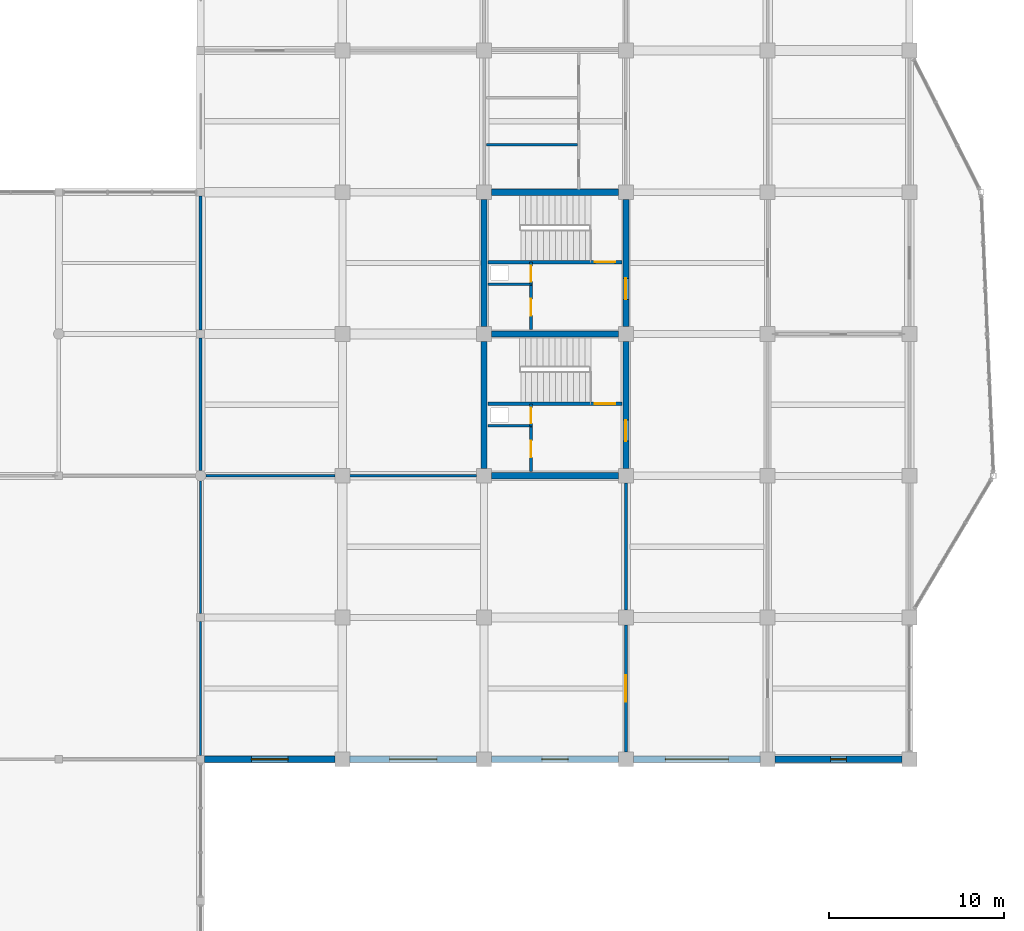
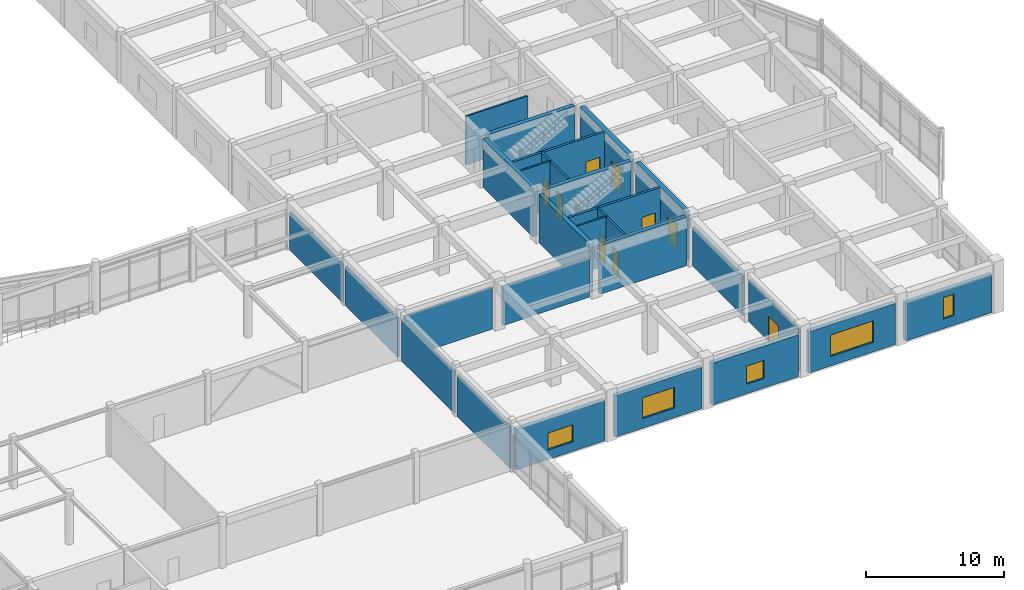
# One storey, part 69 of 93: 29 walls, 9 doors, 5 windows, 14 openings.
"""IFC4 building model written with IfcOpenShell, lengths in metres."""

from ifc_helpers import new_model, si_unit, direction, frame, frame_2d, origin, place, context, subcontext, project, spatial, rectangle, extrude, material, layer, layer_set, type_object, element, fill, save


model = new_model("IFC4")

# Units and contexts
model_context = context("Model", 3, precision=1e-05, world=origin(), true_north=direction((0.0, 1.0)))
body_context = subcontext(model_context, "Body", "Model", "MODEL_VIEW")
ifc_project = project(units=[si_unit("LENGTHUNIT", "METRE"), si_unit("AREAUNIT", "SQUARE_METRE"), si_unit("VOLUMEUNIT", "CUBIC_METRE"), si_unit("PLANEANGLEUNIT", "RADIAN"), si_unit("MASSUNIT", "GRAM", prefix="KILO")], contexts=[model_context])

# Site, building, storey
site_placement = place(None, origin())
site = spatial("IfcSite", under=ifc_project, at=site_placement, CompositionType="ELEMENT")
building_placement = place(site_placement, origin())
building = spatial("IfcBuilding", under=site, at=building_placement, Name="Vaudrelin Polytechnic", CompositionType="ELEMENT")
storey_placement = place(building_placement, frame((0.0, 0.0, 5.10009765625)))
storey = spatial("IfcBuildingStorey", under=building, at=storey_placement, Name="L01", CompositionType="ELEMENT", Elevation=5.10009765625)

# Wall, opening, window
ifc_material_1 = material(Name="Precast concrete 35 MPa with terracotta baguette screen", Category="masonry")
ifc_layer_1 = layer(ifc_material_1, 0.35009765625)
ifc_layer_set_1 = layer_set([ifc_layer_1], Name="Precast concrete 35 MPa with terracotta baguette screen")
wall_type_1 = type_object("IfcWallType", Name="WAL-EW-TERR350", PredefinedType="STANDARD", material=ifc_layer_set_1)
wall_1_placement = place(storey_placement, frame((129.822998046875, 16.199951171875, 0.0), z_axis=(0.0, 0.0, 1.0), x_axis=(1.0, 0.0, 0.0)))
wall_1 = element("IfcWall", 1, at=wall_1_placement, inside=storey, type_object=wall_type_1, Name="Exterior wall L01 S_V4_00", PredefinedType="STANDARD", context=body_context, shape_type="SweptSolid", body=[
    extrude(rectangle(XDim=7.4541015625, YDim=0.35009765625, at=frame_2d((3.72705078125, 0.0))), origin(), (0.0, 0.0, 1.0), 3.56201171875),
])
opening_1_placement = place(wall_1_placement, frame((2.677001953125, 0.0, 0.85009765625)))
opening_1 = element("IfcOpeningElement", 2, at=opening_1_placement, cuts=wall_1, Name="Opening W-L01-S-V4-01", PredefinedType="OPENING", context=body_context, shape_type="SweptSolid", body=[
    extrude(rectangle(XDim=2.10009765625, YDim=1.5, at=frame_2d((1.050048828125, 0.75))), frame((0.0, 0.18505859375, 0.0), z_axis=(0.0, -1.0, 0.0), x_axis=(1.0, 0.0, 0.0)), (0.0, 0.0, 1.0), 0.3701171875),
])
ifc_material_2 = material(Name="Thermally broken aluminium frame with triple low-e glazing", Category="aluminium")
window_type_1 = type_object("IfcWindowType", Name="WIN-WN-05", PartitioningType="SINGLE_PANEL", PredefinedType="WINDOW", material=ifc_material_2)
window_1_placement = place(opening_1_placement, origin())
window_1 = element("IfcWindow", 3, at=window_1_placement, inside=storey, type_object=window_type_1, Name="Facade window L01-S_V4_00", OverallHeight=1.5, OverallWidth=2.10009765625, PartitioningType="SINGLE_PANEL", PredefinedType="WINDOW", context=body_context, shape_type="SweptSolid", body=[
    extrude(rectangle(XDim=2.10009765625, YDim=1.5, at=frame_2d((1.050048828125, 0.75))), frame((0.0, 0.030029296875, 0.0), z_axis=(0.0, -1.0, 0.0), x_axis=(1.0, 0.0, 0.0)), (0.0, 0.0, 1.0), 0.06005859375),
])
fill(opening_1, window_1)

wall_2_placement = place(storey_placement, frame((138.123046875, 16.199951171875, 0.0), z_axis=(0.0, 0.0, 1.0), x_axis=(1.0, 0.0, 0.0)))
wall_2 = element("IfcWall", 4, at=wall_2_placement, inside=storey, type_object=wall_type_1, Name="Exterior wall L01 S_V4_01", PredefinedType="STANDARD", context=body_context, shape_type="SweptSolid", body=[
    extrude(rectangle(XDim=7.25390625, YDim=0.35009765625, at=frame_2d((3.626953125, 0.0))), origin(), (0.0, 0.0, 1.0), 3.661865234375),
])
opening_2_placement = place(wall_2_placement, frame((2.277099609375, 0.0, 0.85009765625)))
opening_2 = element("IfcOpeningElement", 5, at=opening_2_placement, cuts=wall_2, Name="Opening W-L01-S-V4-02", PredefinedType="OPENING", context=body_context, shape_type="SweptSolid", body=[
    extrude(rectangle(XDim=2.699951171875, YDim=1.85009765625, at=frame_2d((1.35009765625, 0.925048828125))), frame((0.0, 0.18505859375, 0.0), z_axis=(0.0, -1.0, 0.0), x_axis=(1.0, 0.0, 0.0)), (0.0, 0.0, 1.0), 0.3701171875),
])
window_type_2 = type_object("IfcWindowType", Name="WIN-WN-06", PartitioningType="SINGLE_PANEL", PredefinedType="WINDOW", material=ifc_material_2)
window_2_placement = place(opening_2_placement, origin())
window_2 = element("IfcWindow", 6, at=window_2_placement, inside=storey, type_object=window_type_2, Name="Facade window L01-S_V4_01", OverallHeight=1.85009765625, OverallWidth=2.699951171875, PartitioningType="SINGLE_PANEL", PredefinedType="WINDOW", context=body_context, shape_type="SweptSolid", body=[
    extrude(rectangle(XDim=2.699951171875, YDim=1.85009765625, at=frame_2d((1.35009765625, 0.925048828125))), frame((0.0, 0.030029296875, 0.0), z_axis=(0.0, -1.0, 0.0), x_axis=(1.0, 0.0, 0.0)), (0.0, 0.0, 1.0), 0.06005859375),
])
fill(opening_2, window_2)

wall_3_placement = place(storey_placement, frame((146.222900390625, 16.199951171875, 0.0), z_axis=(0.0, 0.0, 1.0), x_axis=(1.0, 0.0, 0.0)))
wall_3 = element("IfcWall", 7, at=wall_3_placement, inside=storey, type_object=wall_type_1, Name="Exterior wall L01 S_V4_02", PredefinedType="STANDARD", context=body_context, shape_type="SweptSolid", body=[
    extrude(rectangle(XDim=7.254150390625, YDim=0.35009765625, at=frame_2d((3.626953125, 0.0))), origin(), (0.0, 0.0, 1.0), 3.7119140625),
])
opening_3_placement = place(wall_3_placement, frame((2.876953125, 0.0, 0.85009765625)))
opening_3 = element("IfcOpeningElement", 8, at=opening_3_placement, cuts=wall_3, Name="Opening W-L01-S-V4-03", PredefinedType="OPENING", context=body_context, shape_type="SweptSolid", body=[
    extrude(rectangle(XDim=1.5, YDim=1.60009765625, at=frame_2d((0.75, 0.800048828125))), frame((0.0, 0.18505859375, 0.0), z_axis=(0.0, -1.0, 0.0), x_axis=(1.0, 0.0, 0.0)), (0.0, 0.0, 1.0), 0.3701171875),
])
window_type_3 = type_object("IfcWindowType", Name="WIN-WN-07", PartitioningType="SINGLE_PANEL", PredefinedType="WINDOW", material=ifc_material_2)
window_3_placement = place(opening_3_placement, origin())
window_3 = element("IfcWindow", 9, at=window_3_placement, inside=storey, type_object=window_type_3, Name="Facade window L01-S_V4_02", OverallHeight=1.60009765625, OverallWidth=1.5, PartitioningType="SINGLE_PANEL", PredefinedType="WINDOW", context=body_context, shape_type="SweptSolid", body=[
    extrude(rectangle(XDim=1.5, YDim=1.60009765625, at=frame_2d((0.75, 0.800048828125))), frame((0.0, 0.030029296875, 0.0), z_axis=(0.0, -1.0, 0.0), x_axis=(1.0, 0.0, 0.0)), (0.0, 0.0, 1.0), 0.06005859375),
])
fill(opening_3, window_3)

wall_4_placement = place(storey_placement, frame((154.322998046875, 16.199951171875, 0.0), z_axis=(0.0, 0.0, 1.0), x_axis=(1.0, 0.0, 0.0)))
wall_4 = element("IfcWall", 10, at=wall_4_placement, inside=storey, type_object=wall_type_1, Name="Exterior wall L01 S_V4_03", PredefinedType="STANDARD", context=body_context, shape_type="SweptSolid", body=[
    extrude(rectangle(XDim=7.25390625, YDim=0.35009765625, at=frame_2d((3.626953125, 0.0))), origin(), (0.0, 0.0, 1.0), 3.661865234375),
])
opening_4_placement = place(wall_4_placement, frame((1.826904296875, 0.0, 0.85009765625)))
opening_4 = element("IfcOpeningElement", 11, at=opening_4_placement, cuts=wall_4, Name="Opening W-L01-S-V4-04", PredefinedType="OPENING", context=body_context, shape_type="SweptSolid", body=[
    extrude(rectangle(XDim=3.60009765625, YDim=1.89990234375, at=frame_2d((1.800048828125, 0.949951171875))), frame((0.0, 0.18505859375, 0.0), z_axis=(0.0, -1.0, 0.0), x_axis=(1.0, 0.0, 0.0)), (0.0, 0.0, 1.0), 0.3701171875),
])
window_type_4 = type_object("IfcWindowType", Name="WIN-WN-08", PartitioningType="SINGLE_PANEL", PredefinedType="WINDOW", material=ifc_material_2)
window_4_placement = place(opening_4_placement, origin())
window_4 = element("IfcWindow", 12, at=window_4_placement, inside=storey, type_object=window_type_4, Name="Facade window L01-S_V4_03", OverallHeight=1.89990234375, OverallWidth=3.60009765625, PartitioningType="SINGLE_PANEL", PredefinedType="WINDOW", context=body_context, shape_type="SweptSolid", body=[
    extrude(rectangle(XDim=3.60009765625, YDim=1.89990234375, at=frame_2d((1.800048828125, 0.949951171875))), frame((0.0, 0.030029296875, 0.0), z_axis=(0.0, -1.0, 0.0), x_axis=(1.0, 0.0, 0.0)), (0.0, 0.0, 1.0), 0.06005859375),
])
fill(opening_4, window_4)

wall_5_placement = place(storey_placement, frame((162.423095703125, 16.199951171875, 0.0), z_axis=(0.0, 0.0, 1.0), x_axis=(1.0, 0.0, 0.0)))
wall_5 = element("IfcWall", 13, at=wall_5_placement, inside=storey, type_object=wall_type_1, Name="Exterior wall L01 S_V4_04", PredefinedType="STANDARD", context=body_context, shape_type="SweptSolid", body=[
    extrude(rectangle(XDim=7.25390625, YDim=0.35009765625, at=frame_2d((3.626953125, 0.0))), origin(), (0.0, 0.0, 1.0), 3.36181640625),
])
opening_5_placement = place(wall_5_placement, frame((3.177001953125, 0.0, 0.85009765625)))
opening_5 = element("IfcOpeningElement", 14, at=opening_5_placement, cuts=wall_5, Name="Opening W-L01-S-V4-05", PredefinedType="OPENING", context=body_context, shape_type="SweptSolid", body=[
    extrude(rectangle(XDim=0.89990234375, YDim=1.89990234375, at=frame_2d((0.449951171875, 0.949951171875))), frame((0.0, 0.18505859375, 0.0), z_axis=(0.0, -1.0, 0.0), x_axis=(1.0, 0.0, 0.0)), (0.0, 0.0, 1.0), 0.3701171875),
])
window_type_5 = type_object("IfcWindowType", Name="WIN-WN-09", PartitioningType="SINGLE_PANEL", PredefinedType="WINDOW", material=ifc_material_2)
window_5_placement = place(opening_5_placement, origin())
window_5 = element("IfcWindow", 15, at=window_5_placement, inside=storey, type_object=window_type_5, Name="Facade window L01-S_V4_04", OverallHeight=1.89990234375, OverallWidth=0.89990234375, PartitioningType="SINGLE_PANEL", PredefinedType="WINDOW", context=body_context, shape_type="SweptSolid", body=[
    extrude(rectangle(XDim=0.89990234375, YDim=1.89990234375, at=frame_2d((0.449951171875, 0.949951171875))), frame((0.0, 0.030029296875, 0.0), z_axis=(0.0, -1.0, 0.0), x_axis=(1.0, 0.0, 0.0)), (0.0, 0.0, 1.0), 0.06005859375),
])
fill(opening_5, window_5)

# Wall, opening, door
ifc_material_3 = material(Name="Fire-rated steel-stud gypsum compartment wall", Category="steel")
ifc_layer_2 = layer(ifc_material_3, 0.14990234375)
ifc_layer_set_2 = layer_set([ifc_layer_2], Name="Fire-rated steel-stud gypsum compartment wall")
wall_type_2 = type_object("IfcWallType", Name="WAL-PW-FIRE60", PredefinedType="PARTITIONING", material=ifc_layer_set_2)
wall_6_placement = place(storey_placement, frame((148.47998046875, 35.25, 0.0), z_axis=(0.0, 0.0, 1.0), x_axis=(0.0, 1.0, 0.0)))
wall_6 = element("IfcWall", 16, at=wall_6_placement, inside=storey, type_object=wall_type_2, Name="Core C8 riser enclosure wall L01", PredefinedType="PARTITIONING", context=body_context, shape_type="SweptSolid", body=[
    extrude(rectangle(XDim=1.260009765625, YDim=0.14990234375, at=frame_2d((0.6298828125, 0.0))), origin(), (0.0, 0.0, 1.0), 4.31201171875),
])
opening_6_placement = place(wall_6_placement, frame((0.139892578125, 0.0, 0.0)))
opening_6 = element("IfcOpeningElement", 17, at=opening_6_placement, cuts=wall_6, Name="Opening D-L01-148", PredefinedType="OPENING", context=body_context, shape_type="SweptSolid", body=[
    extrude(rectangle(XDim=0.89990234375, YDim=2.14990234375, at=frame_2d((0.449951171875, 1.074951171875))), frame((0.0, 0.0849609375, 0.0), z_axis=(0.0, -1.0, 0.0), x_axis=(1.0, 0.0, 0.0)), (0.0, 0.0, 1.0), 0.169921875),
])
ifc_material_4 = material(Name="Pressed galvanised steel acoustic leaf", Category="steel")
door_type_1 = type_object("IfcDoorType", Name="DOR-ID-RSR1", OperationType="NOTDEFINED", PredefinedType="DOOR", material=ifc_material_4)
door_1_placement = place(opening_6_placement, origin())
door_1 = element("IfcDoor", 18, at=door_1_placement, inside=storey, type_object=door_type_1, Name="Core C8 riser access door L01", OperationType="SINGLE_SWING_RIGHT", OverallHeight=2.14990234375, OverallWidth=0.89990234375, PredefinedType="DOOR", context=body_context, shape_type="SweptSolid", body=[
    extrude(rectangle(XDim=0.89990234375, YDim=2.14990234375, at=frame_2d((0.449951171875, 1.074951171875))), frame((0.0, 0.02490234375, 0.0), z_axis=(0.0, -1.0, 0.0), x_axis=(1.0, 0.0, 0.0)), (0.0, 0.0, 1.0), 0.050048828125),
])
fill(opening_6, door_1)

# Wall
wall_7_placement = place(storey_placement, frame((146.02001953125, 35.25, 0.0), z_axis=(0.0, 0.0, 1.0), x_axis=(1.0, 0.0, 0.0)))
element("IfcWall", 19, at=wall_7_placement, inside=storey, type_object=wall_type_2, Name="Core C8 riser south fire wall L01", PredefinedType="PARTITIONING", context=body_context, shape_type="SweptSolid", body=[
    extrude(rectangle(XDim=2.530029296875, YDim=0.14990234375, at=frame_2d((1.26513671875, 0.0))), origin(), (0.0, 0.0, 1.0), 4.31201171875),
])

# Wall, opening, door
wall_8_placement = place(storey_placement, frame((148.47998046875, 32.64990234375, 0.0), z_axis=(0.0, 0.0, 1.0), x_axis=(0.0, 1.0, 0.0)))
wall_8 = element("IfcWall", 20, at=wall_8_placement, inside=storey, type_object=wall_type_2, Name="Core C8 custodial enclosure wall L01", PredefinedType="PARTITIONING", context=body_context, shape_type="SweptSolid", body=[
    extrude(rectangle(XDim=2.60009765625, YDim=0.14990234375, at=frame_2d((1.300048828125, 0.0))), origin(), (0.0, 0.0, 1.0), 4.31201171875),
])
opening_7_placement = place(wall_8_placement, frame((0.800048828125, 0.0, 0.0)))
opening_7 = element("IfcOpeningElement", 21, at=opening_7_placement, cuts=wall_8, Name="Opening D-L01-149", PredefinedType="OPENING", context=body_context, shape_type="SweptSolid", body=[
    extrude(rectangle(XDim=0.949951171875, YDim=2.14990234375, at=frame_2d((0.47509765625, 1.074951171875))), frame((0.0, 0.0849609375, 0.0), z_axis=(0.0, -1.0, 0.0), x_axis=(1.0, 0.0, 0.0)), (0.0, 0.0, 1.0), 0.169921875),
])
door_type_2 = type_object("IfcDoorType", Name="DOR-ID-STR1", OperationType="NOTDEFINED", PredefinedType="DOOR", material=ifc_material_4)
door_2_placement = place(opening_7_placement, origin())
door_2 = element("IfcDoor", 22, at=door_2_placement, inside=storey, type_object=door_type_2, Name="Core C8 custodial door L01", OperationType="SINGLE_SWING_RIGHT", OverallHeight=2.14990234375, OverallWidth=0.949951171875, PredefinedType="DOOR", context=body_context, shape_type="SweptSolid", body=[
    extrude(rectangle(XDim=0.949951171875, YDim=2.14990234375, at=frame_2d((0.47509765625, 1.074951171875))), frame((0.0, 0.02490234375, 0.0), z_axis=(0.0, -1.0, 0.0), x_axis=(1.0, 0.0, 0.0)), (0.0, 0.0, 1.0), 0.050048828125),
])
fill(opening_7, door_2)

wall_9_placement = place(storey_placement, frame((148.47998046875, 43.35009765625, 0.0), z_axis=(0.0, 0.0, 1.0), x_axis=(0.0, 1.0, 0.0)))
wall_9 = element("IfcWall", 23, at=wall_9_placement, inside=storey, type_object=wall_type_2, Name="Core C12 riser enclosure wall L01", PredefinedType="PARTITIONING", context=body_context, shape_type="SweptSolid", body=[
    extrude(rectangle(XDim=1.260009765625, YDim=0.14990234375, at=frame_2d((0.6298828125, 0.0))), origin(), (0.0, 0.0, 1.0), 4.31201171875),
])
opening_8_placement = place(wall_9_placement, frame((0.139892578125, 0.0, 0.0)))
opening_8 = element("IfcOpeningElement", 24, at=opening_8_placement, cuts=wall_9, Name="Opening D-L01-271", PredefinedType="OPENING", context=body_context, shape_type="SweptSolid", body=[
    extrude(rectangle(XDim=0.89990234375, YDim=2.14990234375, at=frame_2d((0.449951171875, 1.074951171875))), frame((0.0, 0.0849609375, 0.0), z_axis=(0.0, -1.0, 0.0), x_axis=(1.0, 0.0, 0.0)), (0.0, 0.0, 1.0), 0.169921875),
])
door_3_placement = place(opening_8_placement, origin())
door_3 = element("IfcDoor", 25, at=door_3_placement, inside=storey, type_object=door_type_1, Name="Core C12 riser access door L01", OperationType="SINGLE_SWING_RIGHT", OverallHeight=2.14990234375, OverallWidth=0.89990234375, PredefinedType="DOOR", context=body_context, shape_type="SweptSolid", body=[
    extrude(rectangle(XDim=0.89990234375, YDim=2.14990234375, at=frame_2d((0.449951171875, 1.074951171875))), frame((0.0, 0.02490234375, 0.0), z_axis=(0.0, -1.0, 0.0), x_axis=(1.0, 0.0, 0.0)), (0.0, 0.0, 1.0), 0.050048828125),
])
fill(opening_8, door_3)

# Wall
wall_10_placement = place(storey_placement, frame((146.02001953125, 43.35009765625, 0.0), z_axis=(0.0, 0.0, 1.0), x_axis=(1.0, 0.0, 0.0)))
element("IfcWall", 26, at=wall_10_placement, inside=storey, type_object=wall_type_2, Name="Core C12 riser south fire wall L01", PredefinedType="PARTITIONING", context=body_context, shape_type="SweptSolid", body=[
    extrude(rectangle(XDim=2.530029296875, YDim=0.14990234375, at=frame_2d((1.26513671875, 0.0))), origin(), (0.0, 0.0, 1.0), 4.31201171875),
])

# Wall, opening, door
wall_11_placement = place(storey_placement, frame((148.47998046875, 40.75, 0.0), z_axis=(0.0, 0.0, 1.0), x_axis=(0.0, 1.0, 0.0)))
wall_11 = element("IfcWall", 27, at=wall_11_placement, inside=storey, type_object=wall_type_2, Name="Core C12 custodial enclosure wall L01", PredefinedType="PARTITIONING", context=body_context, shape_type="SweptSolid", body=[
    extrude(rectangle(XDim=2.60009765625, YDim=0.14990234375, at=frame_2d((1.300048828125, 0.0))), origin(), (0.0, 0.0, 1.0), 4.31201171875),
])
opening_9_placement = place(wall_11_placement, frame((0.800048828125, 0.0, 0.0)))
opening_9 = element("IfcOpeningElement", 28, at=opening_9_placement, cuts=wall_11, Name="Opening D-L01-272", PredefinedType="OPENING", context=body_context, shape_type="SweptSolid", body=[
    extrude(rectangle(XDim=0.949951171875, YDim=2.14990234375, at=frame_2d((0.47509765625, 1.074951171875))), frame((0.0, 0.0849609375, 0.0), z_axis=(0.0, -1.0, 0.0), x_axis=(1.0, 0.0, 0.0)), (0.0, 0.0, 1.0), 0.169921875),
])
door_4_placement = place(opening_9_placement, origin())
door_4 = element("IfcDoor", 29, at=door_4_placement, inside=storey, type_object=door_type_2, Name="Core C12 custodial door L01", OperationType="SINGLE_SWING_RIGHT", OverallHeight=2.14990234375, OverallWidth=0.949951171875, PredefinedType="DOOR", context=body_context, shape_type="SweptSolid", body=[
    extrude(rectangle(XDim=0.949951171875, YDim=2.14990234375, at=frame_2d((0.47509765625, 1.074951171875))), frame((0.0, 0.02490234375, 0.0), z_axis=(0.0, -1.0, 0.0), x_axis=(1.0, 0.0, 0.0)), (0.0, 0.0, 1.0), 0.050048828125),
])
fill(opening_9, door_4)

ifc_material_5 = material(Name="Moisture- and chemical-resistant laboratory partition", Category="gypsum")
ifc_layer_3 = layer(ifc_material_5, 0.159912109375)
ifc_layer_set_3 = layer_set([ifc_layer_3], Name="Moisture- and chemical-resistant laboratory partition")
wall_type_3 = type_object("IfcWallType", Name="WAL-PW-LAB160", PredefinedType="PARTITIONING", material=ifc_layer_set_3)
wall_12_placement = place(storey_placement, frame((153.89990234375, 16.623046875, 0.0), z_axis=(0.0, 0.0, 1.0), x_axis=(0.0, 1.0, 0.0)))
wall_12 = element("IfcWall", 30, at=wall_12_placement, inside=storey, type_object=wall_type_3, Name="Partition L01-021 E", PredefinedType="PARTITIONING", context=body_context, shape_type="SweptSolid", body=[
    extrude(rectangle(XDim=7.25390625, YDim=0.159912109375, at=frame_2d((3.626953125, 0.0))), origin(), (0.0, 0.0, 1.0), 3.7119140625),
])
opening_10_placement = place(wall_12_placement, frame((2.876953125, 0.0, 0.0)))
opening_10 = element("IfcOpeningElement", 31, at=opening_10_placement, cuts=wall_12, Name="Opening D-L01-457", PredefinedType="OPENING", context=body_context, shape_type="SweptSolid", body=[
    extrude(rectangle(XDim=1.5, YDim=2.199951171875, at=frame_2d((0.75, 1.10009765625))), frame((0.0, 0.08984375, 0.0), z_axis=(0.0, -1.0, 0.0), x_axis=(1.0, 0.0, 0.0)), (0.0, 0.0, 1.0), 0.179931640625),
])
door_type_3 = type_object("IfcDoorType", Name="DOR-ID-LAB1", OperationType="NOTDEFINED", PredefinedType="DOOR", material=ifc_material_4)
door_5_placement = place(opening_10_placement, origin())
door_5 = element("IfcDoor", 32, at=door_5_placement, inside=storey, type_object=door_type_3, Name="Thermodynamics Teaching Laboratory door L01-021", OperationType="DOUBLE_SWING_LEFT", OverallHeight=2.199951171875, OverallWidth=1.5, PredefinedType="DOOR", context=body_context, shape_type="SweptSolid", body=[
    extrude(rectangle(XDim=1.5, YDim=2.199951171875, at=frame_2d((0.75, 1.10009765625))), frame((0.0, 0.02490234375, 0.0), z_axis=(0.0, -1.0, 0.0), x_axis=(1.0, 0.0, 0.0)), (0.0, 0.0, 1.0), 0.050048828125),
])
fill(opening_10, door_5)

# Walls
wall_13_placement = place(storey_placement, frame((153.89990234375, 24.722900390625, 0.0), z_axis=(0.0, 0.0, 1.0), x_axis=(0.0, 1.0, 0.0)))
element("IfcWall", 33, at=wall_13_placement, inside=storey, type_object=wall_type_3, Name="Partition L01-021 E", PredefinedType="PARTITIONING", context=body_context, shape_type="SweptSolid", body=[
    extrude(rectangle(XDim=7.254150390625, YDim=0.159912109375, at=frame_2d((3.626953125, 0.0))), origin(), (0.0, 0.0, 1.0), 3.4619140625),
])
wall_14_placement = place(storey_placement, frame((129.89794921875, 32.39990234375, 0.0), z_axis=(0.0, 0.0, 1.0), x_axis=(1.0, 0.0, 0.0)))
element("IfcWall", 34, at=wall_14_placement, inside=storey, type_object=wall_type_3, Name="Partition L01-021 N", PredefinedType="PARTITIONING", context=body_context, shape_type="SweptSolid", body=[
    extrude(rectangle(XDim=7.379150390625, YDim=0.159912109375, at=frame_2d((3.689453125, 0.0))), origin(), (0.0, 0.0, 1.0), 3.7119140625),
])
wall_15_placement = place(storey_placement, frame((138.123046875, 32.39990234375, 0.0), z_axis=(0.0, 0.0, 1.0), x_axis=(1.0, 0.0, 0.0)))
element("IfcWall", 35, at=wall_15_placement, inside=storey, type_object=wall_type_3, Name="Partition L01-021 N", PredefinedType="PARTITIONING", context=body_context, shape_type="SweptSolid", body=[
    extrude(rectangle(XDim=7.25390625, YDim=0.159912109375, at=frame_2d((3.626953125, 0.0))), origin(), (0.0, 0.0, 1.0), 3.4619140625),
])
wall_16_placement = place(storey_placement, frame((129.60009765625, 32.697998046875, 0.0), z_axis=(0.0, 0.0, 1.0), x_axis=(0.0, 1.0, 0.0)))
element("IfcWall", 36, at=wall_16_placement, inside=storey, type_object=wall_type_3, Name="Partition L01-022 W", PredefinedType="PARTITIONING", context=body_context, shape_type="SweptSolid", body=[
    extrude(rectangle(XDim=7.5791015625, YDim=0.159912109375, at=frame_2d((3.78955078125, 0.0))), origin(), (0.0, 0.0, 1.0), 3.4619140625),
])
wall_17_placement = place(storey_placement, frame((129.60009765625, 40.722900390625, 0.0), z_axis=(0.0, 0.0, 1.0), x_axis=(0.0, 1.0, 0.0)))
element("IfcWall", 37, at=wall_17_placement, inside=storey, type_object=wall_type_3, Name="Partition L01-022 W", PredefinedType="PARTITIONING", context=body_context, shape_type="SweptSolid", body=[
    extrude(rectangle(XDim=7.654052734375, YDim=0.159912109375, at=frame_2d((3.8271484375, 0.0))), origin(), (0.0, 0.0, 1.0), 3.36181640625),
])
ifc_material_6 = material(Name="Acoustic steel-stud office & study room partition", Category="steel")
ifc_layer_4 = layer(ifc_material_6, 0.135009765625)
ifc_layer_set_4 = layer_set([ifc_layer_4], Name="Acoustic steel-stud office & study room partition")
wall_type_4 = type_object("IfcWallType", Name="WAL-PW-OFF135", PredefinedType="PARTITIONING", material=ifc_layer_set_4)
wall_18_placement = place(storey_placement, frame((129.60009765625, 16.423095703125, 0.0), z_axis=(0.0, 0.0, 1.0), x_axis=(0.0, 1.0, 0.0)))
element("IfcWall", 38, at=wall_18_placement, inside=storey, type_object=wall_type_4, Name="Partition L01-012 E", PredefinedType="PARTITIONING", context=body_context, shape_type="SweptSolid", body=[
    extrude(rectangle(XDim=7.65380859375, YDim=0.135009765625, at=frame_2d((3.826904296875, 0.0))), origin(), (0.0, 0.0, 1.0), 3.661865234375),
])
wall_19_placement = place(storey_placement, frame((129.60009765625, 24.52294921875, 0.0), z_axis=(0.0, 0.0, 1.0), x_axis=(0.0, 1.0, 0.0)))
element("IfcWall", 39, at=wall_19_placement, inside=storey, type_object=wall_type_4, Name="Partition L01-012 E", PredefinedType="PARTITIONING", context=body_context, shape_type="SweptSolid", body=[
    extrude(rectangle(XDim=7.5791015625, YDim=0.135009765625, at=frame_2d((3.78955078125, 0.0))), origin(), (0.0, 0.0, 1.0), 3.7119140625),
])
ifc_material_7 = material(Name="Cement-board tiled wet-wall washroom partition", Category="gypsum")
ifc_layer_5 = layer(ifc_material_7, 0.139892578125)
ifc_layer_set_5 = layer_set([ifc_layer_5], Name="Cement-board tiled wet-wall washroom partition")
wall_type_5 = type_object("IfcWallType", Name="WAL-PW-WC140", PredefinedType="PARTITIONING", material=ifc_layer_set_5)
wall_20_placement = place(storey_placement, frame((145.949951171875, 51.300048828125, 0.0), z_axis=(0.0, 0.0, 1.0), x_axis=(1.0, 0.0, 0.0)))
element("IfcWall", 40, at=wall_20_placement, inside=storey, type_object=wall_type_5, Name="Washroom separation wall L01-18-6-1", PredefinedType="PARTITIONING", context=body_context, shape_type="SweptSolid", body=[
    extrude(rectangle(XDim=5.179931640625, YDim=0.139892578125, at=frame_2d((2.58984375, 0.0))), origin(), (0.0, 0.0, 1.0), 4.31201171875),
])

# Wall, opening, door
ifc_material_8 = material(Name="Concrete 40 MPa", Category="concrete")
ifc_layer_6 = layer(ifc_material_8, 0.199951171875)
ifc_layer_set_6 = layer_set([ifc_layer_6], Name="Concrete 40 MPa")
wall_type_6 = type_object("IfcWallType", Name="WAL-SW-CORE200", PredefinedType="SHEAR", material=ifc_layer_set_6)
wall_21_placement = place(storey_placement, frame((146.02001953125, 36.510009765625, 0.0), z_axis=(0.0, 0.0, 1.0), x_axis=(1.0, 0.0, 0.0)))
wall_21 = element("IfcWall", 41, at=wall_21_placement, inside=storey, type_object=wall_type_6, Name="Core C8 stair enclosure wall L01", PredefinedType="SHEAR", context=body_context, shape_type="SweptSolid", body=[
    extrude(rectangle(XDim=7.659912109375, YDim=0.199951171875, at=frame_2d((3.830078125, 0.0))), origin(), (0.0, 0.0, 1.0), 4.31201171875),
])
opening_11_placement = place(wall_21_placement, frame((6.110107421875, 0.0, 0.0)))
opening_11 = element("IfcOpeningElement", 42, at=opening_11_placement, cuts=wall_21, Name="Opening D-L01-147", PredefinedType="OPENING", context=body_context, shape_type="SweptSolid", body=[
    extrude(rectangle(XDim=1.14990234375, YDim=2.199951171875, at=frame_2d((0.574951171875, 1.10009765625))), frame((0.0, 0.10986328125, 0.0), z_axis=(0.0, -1.0, 0.0), x_axis=(1.0, 0.0, 0.0)), (0.0, 0.0, 1.0), 0.219970703125),
])
door_type_4 = type_object("IfcDoorType", Name="DOR-ID-ST1", OperationType="NOTDEFINED", PredefinedType="DOOR", material=ifc_material_4)
door_6_placement = place(opening_11_placement, origin())
door_6 = element("IfcDoor", 43, at=door_6_placement, inside=storey, type_object=door_type_4, Name="Core C8 exit stair door L01", OperationType="SINGLE_SWING_LEFT", OverallHeight=2.199951171875, OverallWidth=1.14990234375, PredefinedType="DOOR", context=body_context, shape_type="SweptSolid", body=[
    extrude(rectangle(XDim=1.14990234375, YDim=2.199951171875, at=frame_2d((0.574951171875, 1.10009765625))), frame((0.0, 0.02490234375, 0.0), z_axis=(0.0, -1.0, 0.0), x_axis=(1.0, 0.0, 0.0)), (0.0, 0.0, 1.0), 0.050048828125),
])
fill(opening_11, door_6)

wall_22_placement = place(storey_placement, frame((146.02001953125, 44.610107421875, 0.0), z_axis=(0.0, 0.0, 1.0), x_axis=(1.0, 0.0, 0.0)))
wall_22 = element("IfcWall", 44, at=wall_22_placement, inside=storey, type_object=wall_type_6, Name="Core C12 stair enclosure wall L01", PredefinedType="SHEAR", context=body_context, shape_type="SweptSolid", body=[
    extrude(rectangle(XDim=7.659912109375, YDim=0.199951171875, at=frame_2d((3.830078125, 0.0))), origin(), (0.0, 0.0, 1.0), 4.31201171875),
])
opening_12_placement = place(wall_22_placement, frame((6.110107421875, 0.0, 0.0)))
opening_12 = element("IfcOpeningElement", 45, at=opening_12_placement, cuts=wall_22, Name="Opening D-L01-270", PredefinedType="OPENING", context=body_context, shape_type="SweptSolid", body=[
    extrude(rectangle(XDim=1.14990234375, YDim=2.199951171875, at=frame_2d((0.574951171875, 1.10009765625))), frame((0.0, 0.10986328125, 0.0), z_axis=(0.0, -1.0, 0.0), x_axis=(1.0, 0.0, 0.0)), (0.0, 0.0, 1.0), 0.219970703125),
])
door_7_placement = place(opening_12_placement, origin())
door_7 = element("IfcDoor", 46, at=door_7_placement, inside=storey, type_object=door_type_4, Name="Core C12 exit stair door L01", OperationType="SINGLE_SWING_LEFT", OverallHeight=2.199951171875, OverallWidth=1.14990234375, PredefinedType="DOOR", context=body_context, shape_type="SweptSolid", body=[
    extrude(rectangle(XDim=1.14990234375, YDim=2.199951171875, at=frame_2d((0.574951171875, 1.10009765625))), frame((0.0, 0.02490234375, 0.0), z_axis=(0.0, -1.0, 0.0), x_axis=(1.0, 0.0, 0.0)), (0.0, 0.0, 1.0), 0.050048828125),
])
fill(opening_12, door_7)

# Walls
ifc_material_9 = material(Name="Concrete 50 MPa", Category="concrete")
ifc_layer_7 = layer(ifc_material_9, 0.35009765625)
ifc_layer_set_7 = layer_set([ifc_layer_7], Name="Concrete 50 MPa")
wall_type_7 = type_object("IfcWallType", Name="WAL-SW-CORE350", PredefinedType="SHEAR", material=ifc_layer_set_7)
wall_23_placement = place(storey_placement, frame((146.222900390625, 40.5, 0.0), z_axis=(0.0, 0.0, 1.0), x_axis=(1.0, 0.0, 0.0)))
element("IfcWall", 47, at=wall_23_placement, inside=storey, type_object=wall_type_7, Name="Core C8 N shear wall L01", PredefinedType="SHEAR", context=body_context, shape_type="SweptSolid", body=[
    extrude(rectangle(XDim=7.254150390625, YDim=0.35009765625, at=frame_2d((3.626953125, 0.0))), origin(), (0.0, 0.0, 1.0), 4.31201171875),
])
wall_24_placement = place(storey_placement, frame((145.800048828125, 32.822998046875, 0.0), z_axis=(0.0, 0.0, 1.0), x_axis=(0.0, 1.0, 0.0)))
element("IfcWall", 48, at=wall_24_placement, inside=storey, type_object=wall_type_7, Name="Core C8 W shear wall L01", PredefinedType="SHEAR", context=body_context, shape_type="SweptSolid", body=[
    extrude(rectangle(XDim=7.25390625, YDim=0.35009765625, at=frame_2d((3.626953125, 0.0))), origin(), (0.0, 0.0, 1.0), 4.31201171875),
])

# Wall, opening, door
wall_25_placement = place(storey_placement, frame((153.89990234375, 32.822998046875, 0.0), z_axis=(0.0, 0.0, 1.0), x_axis=(0.0, 1.0, 0.0)))
wall_25 = element("IfcWall", 49, at=wall_25_placement, inside=storey, type_object=wall_type_7, Name="Core C8 E shear wall L01", PredefinedType="SHEAR", context=body_context, shape_type="SweptSolid", body=[
    extrude(rectangle(XDim=7.25390625, YDim=0.35009765625, at=frame_2d((3.626953125, 0.0))), origin(), (0.0, 0.0, 1.0), 4.31201171875),
])
opening_13_placement = place(wall_25_placement, frame((1.550048828125, 0.0, 0.0)))
opening_13 = element("IfcOpeningElement", 50, at=opening_13_placement, cuts=wall_25, Name="Opening D-L01-146", PredefinedType="OPENING", context=body_context, shape_type="SweptSolid", body=[
    extrude(rectangle(XDim=1.199951171875, YDim=2.199951171875, at=frame_2d((0.60009765625, 1.10009765625))), frame((0.0, 0.18505859375, 0.0), z_axis=(0.0, -1.0, 0.0), x_axis=(1.0, 0.0, 0.0)), (0.0, 0.0, 1.0), 0.3701171875),
])
door_type_5 = type_object("IfcDoorType", Name="DOR-ID-LB1", OperationType="NOTDEFINED", PredefinedType="DOOR", material=ifc_material_4)
door_8_placement = place(opening_13_placement, origin())
door_8 = element("IfcDoor", 51, at=door_8_placement, inside=storey, type_object=door_type_5, Name="Core C8 lobby fire door L01", OperationType="SINGLE_SWING_RIGHT", OverallHeight=2.199951171875, OverallWidth=1.199951171875, PredefinedType="DOOR", context=body_context, shape_type="SweptSolid", body=[
    extrude(rectangle(XDim=1.199951171875, YDim=2.199951171875, at=frame_2d((0.60009765625, 1.10009765625))), frame((0.0, 0.02490234375, 0.0), z_axis=(0.0, -1.0, 0.0), x_axis=(1.0, 0.0, 0.0)), (0.0, 0.0, 1.0), 0.050048828125),
])
fill(opening_13, door_8)

# Walls
for number, where, z_axis, x_axis, name in (
    (52, (146.222900390625, 32.39990234375, 0.0), (0.0, 0.0, 1.0), (1.0, 0.0, 0.0), "Core C8 S shear wall L01"),
    (53, (146.222900390625, 48.60009765625, 0.0), (0.0, 0.0, 1.0), (1.0, 0.0, 0.0), "Core C12 N shear wall L01"),
):
    element("IfcWall", number, at=place(storey_placement, frame(where, z_axis=z_axis, x_axis=x_axis)), inside=storey, type_object=wall_type_7, Name=name, PredefinedType="SHEAR", context=body_context, shape_type="SweptSolid", body=[
        extrude(rectangle(XDim=7.254150390625, YDim=0.35009765625, at=frame_2d((3.626953125, 0.0))), origin(), (0.0, 0.0, 1.0), 4.31201171875),
    ])
wall_26_placement = place(storey_placement, frame((145.800048828125, 40.923095703125, 0.0), z_axis=(0.0, 0.0, 1.0), x_axis=(0.0, 1.0, 0.0)))
element("IfcWall", 54, at=wall_26_placement, inside=storey, type_object=wall_type_7, Name="Core C12 W shear wall L01", PredefinedType="SHEAR", context=body_context, shape_type="SweptSolid", body=[
    extrude(rectangle(XDim=7.25390625, YDim=0.35009765625, at=frame_2d((3.626953125, 0.0))), origin(), (0.0, 0.0, 1.0), 4.31201171875),
])

# Wall, opening, door
wall_27_placement = place(storey_placement, frame((153.89990234375, 40.923095703125, 0.0), z_axis=(0.0, 0.0, 1.0), x_axis=(0.0, 1.0, 0.0)))
wall_27 = element("IfcWall", 55, at=wall_27_placement, inside=storey, type_object=wall_type_7, Name="Core C12 E shear wall L01", PredefinedType="SHEAR", context=body_context, shape_type="SweptSolid", body=[
    extrude(rectangle(XDim=7.25390625, YDim=0.35009765625, at=frame_2d((3.626953125, 0.0))), origin(), (0.0, 0.0, 1.0), 4.31201171875),
])
opening_14_placement = place(wall_27_placement, frame((1.550048828125, 0.0, 0.0)))
opening_14 = element("IfcOpeningElement", 56, at=opening_14_placement, cuts=wall_27, Name="Opening D-L01-269", PredefinedType="OPENING", context=body_context, shape_type="SweptSolid", body=[
    extrude(rectangle(XDim=1.199951171875, YDim=2.199951171875, at=frame_2d((0.60009765625, 1.10009765625))), frame((0.0, 0.18505859375, 0.0), z_axis=(0.0, -1.0, 0.0), x_axis=(1.0, 0.0, 0.0)), (0.0, 0.0, 1.0), 0.3701171875),
])
door_9_placement = place(opening_14_placement, origin())
door_9 = element("IfcDoor", 57, at=door_9_placement, inside=storey, type_object=door_type_5, Name="Core C12 lobby fire door L01", OperationType="SINGLE_SWING_LEFT", OverallHeight=2.199951171875, OverallWidth=1.199951171875, PredefinedType="DOOR", context=body_context, shape_type="SweptSolid", body=[
    extrude(rectangle(XDim=1.199951171875, YDim=2.199951171875, at=frame_2d((0.60009765625, 1.10009765625))), frame((0.0, 0.02490234375, 0.0), z_axis=(0.0, -1.0, 0.0), x_axis=(1.0, 0.0, 0.0)), (0.0, 0.0, 1.0), 0.050048828125),
])
fill(opening_14, door_9)

save(model, "model.ifc")
